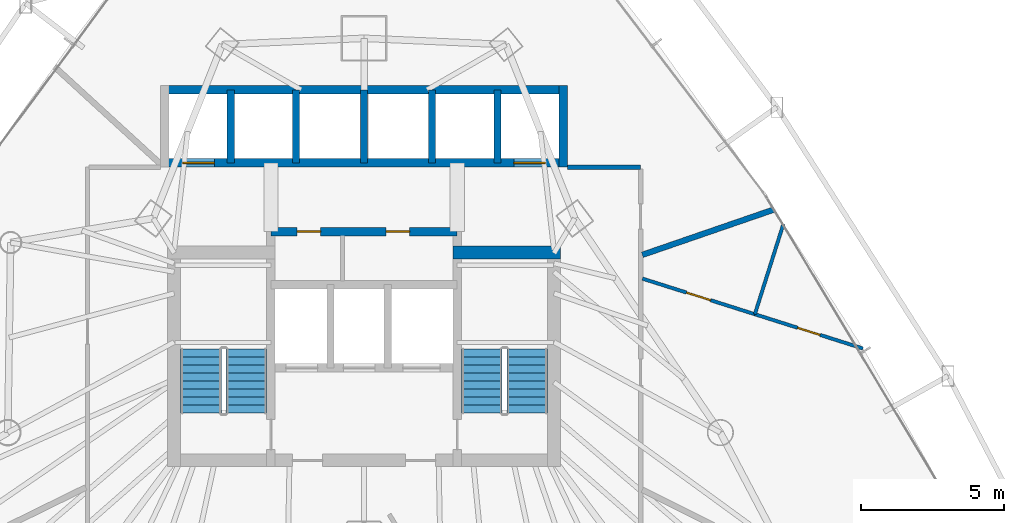
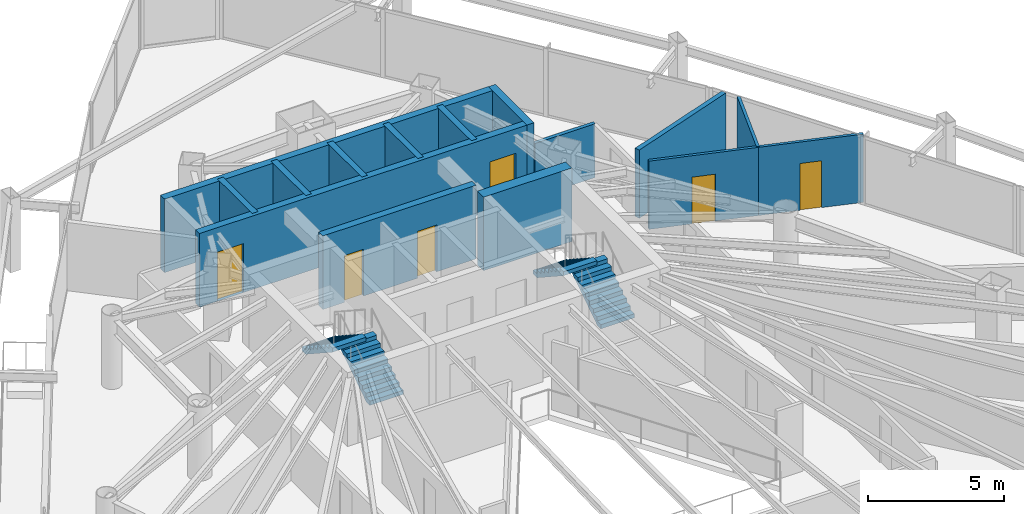
# One storey, part 31 of 35: 15 walls, 6 doors, 4 stair flights, 6 openings, 2 elements without a shape of their own.
"""IFC4 building model written with IfcOpenShell, lengths in metres."""

from ifc_helpers import new_model, si_unit, direction, frame, frame_2d, origin, place, context, subcontext, project, spatial, polyline, rectangle, outline, extrude, material, layer, layer_set, type_object, element, fill, aggregate, save


model = new_model("IFC4")

# Units and contexts
model_context = context("Model", 3, precision=1e-05, world=origin(), true_north=direction((0.0, 1.0)))
body_context = subcontext(model_context, "Body", "Model", "MODEL_VIEW")
ifc_project = project(units=[si_unit("LENGTHUNIT", "METRE"), si_unit("AREAUNIT", "SQUARE_METRE"), si_unit("VOLUMEUNIT", "CUBIC_METRE"), si_unit("PLANEANGLEUNIT", "RADIAN"), si_unit("MASSUNIT", "GRAM", prefix="KILO")], contexts=[model_context])

# Site, building, storey
site_placement = place(None, origin())
site = spatial("IfcSite", under=ifc_project, at=site_placement, CompositionType="ELEMENT")
building_placement = place(site_placement, origin())
building = spatial("IfcBuilding", under=site, at=building_placement, Name="Orvanel Arch Residences", CompositionType="ELEMENT")
storey_placement = place(building_placement, frame((0.0, 0.0, 33.5)))
storey = spatial("IfcBuildingStorey", under=building, at=storey_placement, Name="L08", CompositionType="ELEMENT", Elevation=33.5)

# Walls
ifc_material_1 = material(Name="Concrete N50 (50 MPa)", Category="concrete")
ifc_layer_1 = layer(ifc_material_1, 0.25)
ifc_layer_set_1 = layer_set([ifc_layer_1], Name="Concrete N50 (50 MPa)")
wall_type_1 = type_object("IfcWallType", Name="SW-CORE-250", PredefinedType="SHEAR", material=ifc_layer_set_1)
for number, where, z_axis, x_axis, name in (
    (1, (28.35009765625, 37.050048828125, 0.0), (0.0, 0.0, 1.0), (0.0, 1.0, 0.0), "L08 Passenger Lift Inter-Shaft Wall P13"),
    (2, (30.625, 37.050048828125, 0.0), (0.0, 0.0, 1.0), (0.0, 1.0, 0.0), "L08 Passenger Lift Inter-Shaft Wall P35"),
    (3, (33.0, 37.050048828125, 0.0), (0.0, 0.0, 1.0), (0.0, 1.0, 0.0), "L08 Passenger Lift Inter-Shaft Wall P56"),
    (4, (35.375, 37.050048828125, 0.0), (0.0, 0.0, 1.0), (0.0, 1.0, 0.0), "L08 Passenger Lift Inter-Shaft Wall P64"),
    (5, (37.64990234375, 37.050048828125, 0.0), (0.0, 0.0, 1.0), (0.0, 1.0, 0.0), "L08 Passenger Lift Inter-Shaft Wall P42"),
):
    element("IfcWall", number, at=place(storey_placement, frame(where, z_axis=z_axis, x_axis=x_axis)), inside=storey, type_object=wall_type_1, Name=name, PredefinedType="SHEAR", context=body_context, shape_type="SweptSolid", body=[
        extrude(rectangle(XDim=2.550048828125, YDim=0.25, at=frame_2d((1.27490234375, 0.0))), origin(), (0.0, 0.0, 1.0), 3.300048828125),
    ])

# Wall, openings, doors
ifc_material_2 = material(Name="Concrete S80 (80 MPa)", Category="concrete")
ifc_layer_2 = layer(ifc_material_2, 0.300048828125)
ifc_layer_set_2 = layer_set([ifc_layer_2], Name="Concrete S80 (80 MPa)")
wall_type_2 = type_object("IfcWallType", Name="SW-CORE-300", PredefinedType="SHEAR", material=ifc_layer_set_2)
wall_1_placement = place(storey_placement, frame((29.75, 34.64990234375, 0.0), z_axis=(0.0, 0.0, 1.0), x_axis=(1.0, 0.0, 0.0)))
wall_1 = element("IfcWall", 6, at=wall_1_placement, inside=storey, type_object=wall_type_2, Name="L08 Core Service Band North Shear Wall", PredefinedType="SHEAR", context=body_context, shape_type="SweptSolid", body=[
    extrude(rectangle(XDim=6.5, YDim=0.300048828125, at=frame_2d((3.25, 0.0))), origin(), (0.0, 0.0, 1.0), 3.300048828125),
])
opening_1_placement = place(wall_1_placement, frame((0.9150390625, 0.0, 0.0)))
opening_1 = element("IfcOpeningElement", 7, at=opening_1_placement, cuts=wall_1, Name="Opening DS-082", PredefinedType="OPENING", context=body_context, shape_type="SweptSolid", body=[
    extrude(rectangle(XDim=0.820068359375, YDim=2.10009765625, at=frame_2d((0.41015625, 1.050048828125))), frame((0.0, 0.159912109375, 0.0), z_axis=(0.0, -1.0, 0.0), x_axis=(1.0, 0.0, 0.0)), (0.0, 0.0, 1.0), 0.320068359375),
])
opening_2_placement = place(wall_1_placement, frame((4.014892578125, 0.0, 0.0)))
opening_2 = element("IfcOpeningElement", 8, at=opening_2_placement, cuts=wall_1, Name="Opening DW-082", PredefinedType="OPENING", context=body_context, shape_type="SweptSolid", body=[
    extrude(rectangle(XDim=0.820068359375, YDim=2.10009765625, at=frame_2d((0.41015625, 1.050048828125))), frame((0.0, 0.159912109375, 0.0), z_axis=(0.0, -1.0, 0.0), x_axis=(1.0, 0.0, 0.0)), (0.0, 0.0, 1.0), 0.320068359375),
])
ifc_material_3 = material(Name="Galvanised steel fire-resisting door assembly", Category="steel")
door_type_1 = type_object("IfcDoorType", Name="DR-SVC-820", OperationType="NOTDEFINED", PredefinedType="DOOR", material=ifc_material_3)
door_1_placement = place(opening_1_placement, origin())
door_1 = element("IfcDoor", 9, at=door_1_placement, inside=storey, type_object=door_type_1, Name="DR-L08-CSVC-1 L08 Floor Cleaner's Store Door", OperationType="SINGLE_SWING_LEFT", OverallHeight=2.10009765625, OverallWidth=0.820068359375, PredefinedType="DOOR", context=body_context, shape_type="SweptSolid", body=[
    extrude(rectangle(XDim=0.820068359375, YDim=2.10009765625, at=frame_2d((0.41015625, 1.050048828125))), frame((0.0, 0.02490234375, 0.0), z_axis=(0.0, -1.0, 0.0), x_axis=(1.0, 0.0, 0.0)), (0.0, 0.0, 1.0), 0.050048828125),
])
fill(opening_1, door_1)
ifc_material_4 = material(Name="Solid-core European oak veneer fire door leaf", Category="wood")
door_type_2 = type_object("IfcDoorType", Name="DR-WET-820", OperationType="NOTDEFINED", PredefinedType="DOOR", material=ifc_material_4)
door_2_placement = place(opening_2_placement, origin())
door_2 = element("IfcDoor", 10, at=door_2_placement, inside=storey, type_object=door_type_2, Name="DR-L08-CSVC-2 L08 Core Accessible WC Door", OperationType="SINGLE_SWING_LEFT", OverallHeight=2.10009765625, OverallWidth=0.820068359375, PredefinedType="DOOR", context=body_context, shape_type="SweptSolid", body=[
    extrude(rectangle(XDim=0.820068359375, YDim=2.10009765625, at=frame_2d((0.41015625, 1.050048828125))), frame((0.0, 0.02490234375, 0.0), z_axis=(0.0, -1.0, 0.0), x_axis=(1.0, 0.0, 0.0)), (0.0, 0.0, 1.0), 0.050048828125),
])
fill(opening_2, door_2)

wall_2_placement = place(storey_placement, frame((40.10009765625, 37.050048828125, 0.0), z_axis=(0.0, 0.0, 1.0), x_axis=(-1.0, 0.0, 0.0)))
wall_2 = element("IfcWall", 11, at=wall_2_placement, inside=storey, type_object=wall_type_2, Name="L08 Passenger Lift Bank Front Shear Wall", PredefinedType="SHEAR", context=body_context, shape_type="SweptSolid", body=[
    extrude(rectangle(XDim=14.2001953125, YDim=0.300048828125, at=frame_2d((7.10009765625, 0.0))), origin(), (0.0, 0.0, 1.0), 3.300048828125),
])
opening_3_placement = place(wall_2_placement, frame((12.324951171875, 0.0, 0.0)))
opening_3 = element("IfcOpeningElement", 12, at=opening_3_placement, cuts=wall_2, Name="Opening LD-110", PredefinedType="OPENING", context=body_context, shape_type="SweptSolid", body=[
    extrude(rectangle(XDim=1.10009765625, YDim=2.199951171875, at=frame_2d((0.550048828125, 1.10009765625))), frame((0.0, 0.159912109375, 0.0), z_axis=(0.0, -1.0, 0.0), x_axis=(1.0, 0.0, 0.0)), (0.0, 0.0, 1.0), 0.320068359375),
])
opening_4_placement = place(wall_2_placement, frame((0.77490234375, 0.0, 0.0)))
opening_4 = element("IfcOpeningElement", 13, at=opening_4_placement, cuts=wall_2, Name="Opening LD-110", PredefinedType="OPENING", context=body_context, shape_type="SweptSolid", body=[
    extrude(rectangle(XDim=1.10009765625, YDim=2.199951171875, at=frame_2d((0.550048828125, 1.10009765625))), frame((0.0, 0.159912109375, 0.0), z_axis=(0.0, -1.0, 0.0), x_axis=(1.0, 0.0, 0.0)), (0.0, 0.0, 1.0), 0.320068359375),
])
door_type_3 = type_object("IfcDoorType", Name="DR-LFT-1100", OperationType="NOTDEFINED", PredefinedType="DOOR", material=ifc_material_3)
door_3_placement = place(opening_3_placement, origin())
door_3 = element("IfcDoor", 14, at=door_3_placement, inside=storey, type_object=door_type_3, Name="LD-P1-L08 L08 Passenger Lift P1 Sliding Landing Door", OperationType="DOUBLE_DOOR_SLIDING", OverallHeight=2.199951171875, OverallWidth=1.10009765625, PredefinedType="DOOR", context=body_context, shape_type="SweptSolid", body=[
    extrude(rectangle(XDim=1.10009765625, YDim=2.199951171875, at=frame_2d((0.550048828125, 1.10009765625))), frame((0.0, 0.02490234375, 0.0), z_axis=(0.0, -1.0, 0.0), x_axis=(1.0, 0.0, 0.0)), (0.0, 0.0, 1.0), 0.050048828125),
])
fill(opening_3, door_3)
door_4_placement = place(opening_4_placement, origin())
door_4 = element("IfcDoor", 15, at=door_4_placement, inside=storey, type_object=door_type_3, Name="LD-P2-L08 L08 Passenger Lift P2 Sliding Landing Door", OperationType="DOUBLE_DOOR_SLIDING", OverallHeight=2.199951171875, OverallWidth=1.10009765625, PredefinedType="DOOR", context=body_context, shape_type="SweptSolid", body=[
    extrude(rectangle(XDim=1.10009765625, YDim=2.199951171875, at=frame_2d((0.550048828125, 1.10009765625))), frame((0.0, 0.02490234375, 0.0), z_axis=(0.0, -1.0, 0.0), x_axis=(1.0, 0.0, 0.0)), (0.0, 0.0, 1.0), 0.050048828125),
])
fill(opening_4, door_4)

# Walls
wall_3_placement = place(storey_placement, frame((25.89990234375, 39.60009765625, 0.0), z_axis=(0.0, 0.0, 1.0), x_axis=(1.0, 0.0, 0.0)))
element("IfcWall", 16, at=wall_3_placement, inside=storey, type_object=wall_type_2, Name="L08 Passenger Lift Bank North Shear Wall", PredefinedType="SHEAR", context=body_context, shape_type="SweptSolid", body=[
    extrude(rectangle(XDim=14.2001953125, YDim=0.300048828125, at=frame_2d((7.10009765625, 0.0))), origin(), (0.0, 0.0, 1.0), 3.300048828125),
])
wall_4_placement = place(storey_placement, frame((39.949951171875, 36.89990234375, 0.0), z_axis=(0.0, 0.0, 1.0), x_axis=(0.0, 1.0, 0.0)))
element("IfcWall", 17, at=wall_4_placement, inside=storey, type_object=wall_type_2, Name="L08 Passenger Lift Bank East Shear Wall", PredefinedType="SHEAR", context=body_context, shape_type="SweptSolid", body=[
    extrude(rectangle(XDim=2.85009765625, YDim=0.300048828125, at=frame_2d((1.425048828125, 0.0))), origin(), (0.0, 0.0, 1.0), 3.300048828125),
])
ifc_layer_3 = layer(ifc_material_2, 0.449951171875)
ifc_layer_set_3 = layer_set([ifc_layer_3], Name="Concrete S80 (80 MPa)")
wall_type_3 = type_object("IfcWallType", Name="SW-CORE-450", PredefinedType="SHEAR", material=ifc_layer_set_3)
wall_5_placement = place(storey_placement, frame((36.10009765625, 33.925048828125, 0.0), z_axis=(0.0, 0.0, 1.0), x_axis=(1.0, 0.0, 0.0)))
element("IfcWall", 18, at=wall_5_placement, inside=storey, type_object=wall_type_3, Name="L08 East Stair North Shear Wall", PredefinedType="SHEAR", context=body_context, shape_type="SweptSolid", body=[
    extrude(rectangle(XDim=3.75, YDim=0.449951171875, at=frame_2d((1.875, 0.0))), origin(), (0.0, 0.0, 1.0), 3.300048828125),
])
ifc_material_5 = material(Name="Fire-rated plasterboard lined steel stud partition", Category="steel")
ifc_layer_4 = layer(ifc_material_5, 0.14990234375)
ifc_layer_set_4 = layer_set([ifc_layer_4], Name="Fire-rated plasterboard lined steel stud partition")
wall_type_4 = type_object("IfcWallType", Name="W-COR-150", PredefinedType="PARTITIONING", material=ifc_layer_set_4)
wall_6_placement = place(storey_placement, frame((40.10009765625, 36.89990234375, 0.0), z_axis=(0.0, 0.0, 1.0), x_axis=(1.0, 0.0, 0.0)))
element("IfcWall", 19, at=wall_6_placement, inside=storey, type_object=wall_type_4, Name="L08 Corridor Fire-Rated Partition", PredefinedType="PARTITIONING", context=body_context, shape_type="SweptSolid", body=[
    extrude(rectangle(XDim=2.5498046875, YDim=0.14990234375, at=frame_2d((1.27490234375, 0.0))), origin(), (0.0, 0.0, 1.0), 2.4130859375),
])
ifc_layer_5 = layer(ifc_material_5, 0.199951171875)
ifc_layer_set_5 = layer_set([ifc_layer_5], Name="Fire-rated plasterboard lined steel stud partition")
wall_type_5 = type_object("IfcWallType", Name="W-DEM-200", PredefinedType="PARTITIONING", material=ifc_layer_set_5)
wall_7_placement = place(storey_placement, frame((47.303955078125, 35.425048828125, 0.0), z_axis=(0.0, 0.0, 1.0), x_axis=(-0.945506397197, -0.325603520956, 0.0)))
element("IfcWall", 20, at=wall_7_placement, inside=storey, type_object=wall_type_5, Name="L08 Inter-Tenancy Acoustic Demising Wall", PredefinedType="PARTITIONING", context=body_context, shape_type="SweptSolid", body=[
    extrude(rectangle(XDim=4.85888671875, YDim=0.199951171875, at=frame_2d((2.429443359375, 0.0))), origin(), (0.0, 0.0, 1.0), 3.06005859375),
])

# Wall, opening, door
ifc_material_6 = material(Name="Acoustic plasterboard lined twin-stud partition", Category="gypsum")
ifc_layer_6 = layer(ifc_material_6, 0.1201171875)
ifc_layer_set_6 = layer_set([ifc_layer_6], Name="Acoustic plasterboard lined twin-stud partition")
wall_type_6 = type_object("IfcWallType", Name="W-WET-120", PredefinedType="PARTITIONING", material=ifc_layer_set_6)
wall_8_placement = place(storey_placement, frame((46.633056640625, 31.77099609375, 0.0), z_axis=(0.0, 0.0, 1.0), x_axis=(0.953252758263, -0.302174087016, 0.0)))
wall_8 = element("IfcWall", 21, at=wall_8_placement, inside=storey, type_object=wall_type_6, Name="L08 Studio I Bathroom Partition", PredefinedType="PARTITIONING", context=body_context, shape_type="SweptSolid", body=[
    extrude(rectangle(XDim=3.954833984375, YDim=0.1201171875, at=frame_2d((1.9775390625, 0.0))), origin(), (0.0, 0.0, 1.0), 3.06005859375),
])
opening_5_placement = place(wall_8_placement, frame((1.56689453125, 0.0, 0.0)))
opening_5 = element("IfcOpeningElement", 22, at=opening_5_placement, cuts=wall_8, Name="Opening DW-082", PredefinedType="OPENING", context=body_context, shape_type="SweptSolid", body=[
    extrude(rectangle(XDim=0.820068359375, YDim=2.10009765625, at=frame_2d((0.41015625, 1.050048828125))), frame((0.0, 0.070068359375, 0.0), z_axis=(0.0, -1.0, 0.0), x_axis=(1.0, 0.0, 0.0)), (0.0, 0.0, 1.0), 0.14013671875),
])
door_5_placement = place(opening_5_placement, origin())
door_5 = element("IfcDoor", 23, at=door_5_placement, inside=storey, type_object=door_type_2, Name="DR-L08-I-BATH L08 Studio I Bathroom Door", OperationType="SINGLE_SWING_RIGHT", OverallHeight=2.10009765625, OverallWidth=0.820068359375, PredefinedType="DOOR", context=body_context, shape_type="SweptSolid", body=[
    extrude(rectangle(XDim=0.820068359375, YDim=2.10009765625, at=frame_2d((0.41015625, 1.050048828125))), frame((0.0, 0.02490234375, 0.0), z_axis=(0.0, -1.0, 0.0), x_axis=(1.0, 0.0, 0.0)), (0.0, 0.0, 1.0), 0.050048828125),
])
fill(opening_5, door_5)

wall_9_placement = place(storey_placement, frame((42.7099609375, 33.013916015625, 0.0), z_axis=(0.0, 0.0, 1.0), x_axis=(0.953299814988, -0.302025599484, 0.0)))
wall_9 = element("IfcWall", 24, at=wall_9_placement, inside=storey, type_object=wall_type_6, Name="L08 Studio I Internal Partition", PredefinedType="PARTITIONING", context=body_context, shape_type="SweptSolid", body=[
    extrude(rectangle(XDim=4.115234375, YDim=0.1201171875, at=frame_2d((2.0576171875, 0.0))), origin(), (0.0, 0.0, 1.0), 3.06005859375),
])
opening_6_placement = place(wall_9_placement, frame((1.617919921875, 0.0, 0.0)))
opening_6 = element("IfcOpeningElement", 25, at=opening_6_placement, cuts=wall_9, Name="Opening DI-088", PredefinedType="OPENING", context=body_context, shape_type="SweptSolid", body=[
    extrude(rectangle(XDim=0.8798828125, YDim=2.10009765625, at=frame_2d((0.43994140625, 1.050048828125))), frame((0.0, 0.070068359375, 0.0), z_axis=(0.0, -1.0, 0.0), x_axis=(1.0, 0.0, 0.0)), (0.0, 0.0, 1.0), 0.14013671875),
])
door_type_4 = type_object("IfcDoorType", Name="DR-INT-880", OperationType="NOTDEFINED", PredefinedType="DOOR", material=ifc_material_4)
door_6_placement = place(opening_6_placement, origin())
door_6 = element("IfcDoor", 26, at=door_6_placement, inside=storey, type_object=door_type_4, Name="DR-L08-I-KIT L08 Studio I Kitchenette Door", OperationType="SINGLE_SWING_LEFT", OverallHeight=2.10009765625, OverallWidth=0.8798828125, PredefinedType="DOOR", context=body_context, shape_type="SweptSolid", body=[
    extrude(rectangle(XDim=0.8798828125, YDim=2.10009765625, at=frame_2d((0.43994140625, 1.050048828125))), frame((0.0, 0.02490234375, 0.0), z_axis=(0.0, -1.0, 0.0), x_axis=(1.0, 0.0, 0.0)), (0.0, 0.0, 1.0), 0.050048828125),
])
fill(opening_6, door_6)

# Wall
wall_10_placement = place(storey_placement, frame((46.633056640625, 31.77099609375, 0.0), z_axis=(0.0, 0.0, 1.0), x_axis=(0.301799891186, 0.953371294764, 0.0)))
element("IfcWall", 27, at=wall_10_placement, inside=storey, type_object=wall_type_6, Name="L08 Studio I Bathroom Partition", PredefinedType="PARTITIONING", context=body_context, shape_type="SweptSolid", body=[
    extrude(rectangle(XDim=3.302978515625, YDim=0.1201171875, at=frame_2d((1.6513671875, 0.0))), origin(), (0.0, 0.0, 1.0), 3.06005859375),
])

# Stair, stair flights
ifc_material_7 = material(Name="Precast concrete N50 (50 MPa)", Category="concrete")
stair_type = type_object("IfcStairType", Name="STR-DOG-184", PredefinedType="USERDEFINED", material=ifc_material_7)
stair_1_placement = place(storey_placement, origin())
stair_1 = element("IfcStair", 28, at=stair_1_placement, inside=storey, type_object=stair_type, Name="L08 Fire-Isolated Core Exit Stair 1", ObjectType="TWO_RETURN_STAIR", PredefinedType="USERDEFINED")
stair_flight_type_1 = type_object("IfcStairFlightType", Name="SFL-C1-184", PredefinedType="STRAIGHT", material=ifc_material_7)
stair_flight_1_placement = place(storey_placement, frame((28.889892578125, 28.320068359375, 0.0), z_axis=(0.0, 0.0, 1.0), x_axis=(0.0, 1.0, 0.0)))
stair_flight_1 = element("IfcStairFlight", 29, at=stair_flight_1_placement, type_object=stair_flight_type_1, Name="ST-1 flight 1", NumberOfRisers=9, NumberOfTreads=8, PredefinedType="STRAIGHT", RiserHeight=0.183333333, TreadLength=0.28, context=body_context, shape_type="SweptSolid", body=[
    extrude(outline(polyline([(0.0, 0.0), (0.0, 0.183349609375), (0.280029296875, 0.183349609375), (0.280029296875, 0.36669921875), (0.56005859375, 0.36669921875), (0.56005859375, 0.550048828125), (0.840087890625, 0.550048828125), (0.840087890625, 0.7333984375), (1.1201171875, 0.7333984375), (1.1201171875, 0.916748046875), (1.39990234375, 0.916748046875), (1.39990234375, 1.10009765625), (1.679931640625, 1.10009765625), (1.679931640625, 1.283447265625), (1.9599609375, 1.283447265625), (1.9599609375, 1.466552734375), (2.239990234375, 1.466552734375), (2.239990234375, 1.64990234375), (2.239990234375, 1.28759765625), (0.273681640625, 0.0), (0.0, 0.0)])), frame((0.0, 0.7099609375, 0.0), z_axis=(0.0, -1.0, 0.0), x_axis=(1.0, 0.0, 0.0)), (0.0, 0.0, 1.0), 1.419921875),
])
stair_flight_2_placement = place(storey_placement, frame((27.31005859375, 30.56005859375, 1.64990234375), z_axis=(0.0, 0.0, 1.0), x_axis=(0.0, -1.0, 0.0)))
stair_flight_2 = element("IfcStairFlight", 30, at=stair_flight_2_placement, type_object=stair_flight_type_1, Name="ST-1 flight 2", NumberOfRisers=9, NumberOfTreads=8, PredefinedType="STRAIGHT", RiserHeight=0.183333333, TreadLength=0.28, context=body_context, shape_type="SweptSolid", body=[
    extrude(outline(polyline([(0.0, 0.0), (0.0, 0.183349609375), (0.280029296875, 0.183349609375), (0.280029296875, 0.36669921875), (0.56005859375, 0.36669921875), (0.56005859375, 0.550048828125), (0.840087890625, 0.550048828125), (0.840087890625, 0.7333984375), (1.1201171875, 0.7333984375), (1.1201171875, 0.916748046875), (1.39990234375, 0.916748046875), (1.39990234375, 1.10009765625), (1.679931640625, 1.10009765625), (1.679931640625, 1.283447265625), (1.9599609375, 1.283447265625), (1.9599609375, 1.466552734375), (2.239990234375, 1.466552734375), (2.239990234375, 1.64990234375), (2.239990234375, 1.28759765625), (0.273681640625, 0.0), (0.0, 0.0)])), frame((0.0, 0.7099609375, 0.0), z_axis=(0.0, -1.0, 0.0), x_axis=(1.0, 0.0, 0.0)), (0.0, 0.0, 1.0), 1.419921875),
])
aggregate(stair_1, [stair_flight_1, stair_flight_2])

stair_2_placement = place(storey_placement, origin())
stair_2 = element("IfcStair", 31, at=stair_2_placement, inside=storey, type_object=stair_type, Name="L08 Fire-Isolated Core Exit Stair 2", ObjectType="TWO_RETURN_STAIR", PredefinedType="USERDEFINED")
stair_flight_type_2 = type_object("IfcStairFlightType", Name="SFL-C2-184", PredefinedType="STRAIGHT", material=ifc_material_7)
stair_flight_3_placement = place(storey_placement, frame((38.68994140625, 28.320068359375, 0.0), z_axis=(0.0, 0.0, 1.0), x_axis=(0.0, 1.0, 0.0)))
stair_flight_3 = element("IfcStairFlight", 32, at=stair_flight_3_placement, type_object=stair_flight_type_2, Name="ST-2 flight 1", NumberOfRisers=9, NumberOfTreads=8, PredefinedType="STRAIGHT", RiserHeight=0.183333333, TreadLength=0.28, context=body_context, shape_type="SweptSolid", body=[
    extrude(outline(polyline([(0.0, 0.0), (0.0, 0.183349609375), (0.280029296875, 0.183349609375), (0.280029296875, 0.36669921875), (0.56005859375, 0.36669921875), (0.56005859375, 0.550048828125), (0.840087890625, 0.550048828125), (0.840087890625, 0.7333984375), (1.1201171875, 0.7333984375), (1.1201171875, 0.916748046875), (1.39990234375, 0.916748046875), (1.39990234375, 1.10009765625), (1.679931640625, 1.10009765625), (1.679931640625, 1.283447265625), (1.9599609375, 1.283447265625), (1.9599609375, 1.466552734375), (2.239990234375, 1.466552734375), (2.239990234375, 1.64990234375), (2.239990234375, 1.28759765625), (0.273681640625, 0.0), (0.0, 0.0)])), frame((0.0, 0.7099609375, 0.0), z_axis=(0.0, -1.0, 0.0), x_axis=(1.0, 0.0, 0.0)), (0.0, 0.0, 1.0), 1.419921875),
])
stair_flight_4_placement = place(storey_placement, frame((37.110107421875, 30.56005859375, 1.64990234375), z_axis=(0.0, 0.0, 1.0), x_axis=(0.0, -1.0, 0.0)))
stair_flight_4 = element("IfcStairFlight", 33, at=stair_flight_4_placement, type_object=stair_flight_type_2, Name="ST-2 flight 2", NumberOfRisers=9, NumberOfTreads=8, PredefinedType="STRAIGHT", RiserHeight=0.183333333, TreadLength=0.28, context=body_context, shape_type="SweptSolid", body=[
    extrude(outline(polyline([(0.0, 0.0), (0.0, 0.183349609375), (0.280029296875, 0.183349609375), (0.280029296875, 0.36669921875), (0.56005859375, 0.36669921875), (0.56005859375, 0.550048828125), (0.840087890625, 0.550048828125), (0.840087890625, 0.7333984375), (1.1201171875, 0.7333984375), (1.1201171875, 0.916748046875), (1.39990234375, 0.916748046875), (1.39990234375, 1.10009765625), (1.679931640625, 1.10009765625), (1.679931640625, 1.283447265625), (1.9599609375, 1.283447265625), (1.9599609375, 1.466552734375), (2.239990234375, 1.466552734375), (2.239990234375, 1.64990234375), (2.239990234375, 1.28759765625), (0.273681640625, 0.0), (0.0, 0.0)])), frame((0.0, 0.7099609375, 0.0), z_axis=(0.0, -1.0, 0.0), x_axis=(1.0, 0.0, 0.0)), (0.0, 0.0, 1.0), 1.419921875),
])
aggregate(stair_2, [stair_flight_3, stair_flight_4])

save(model, "model.ifc")
